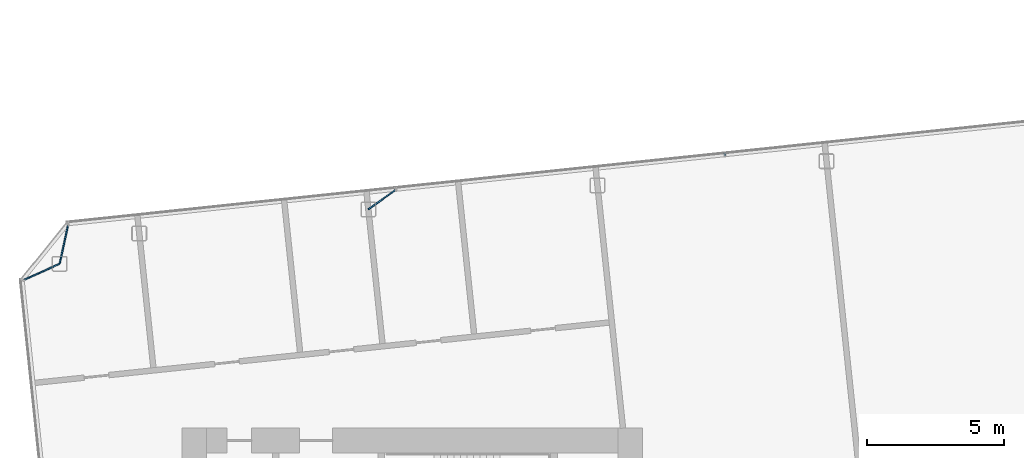
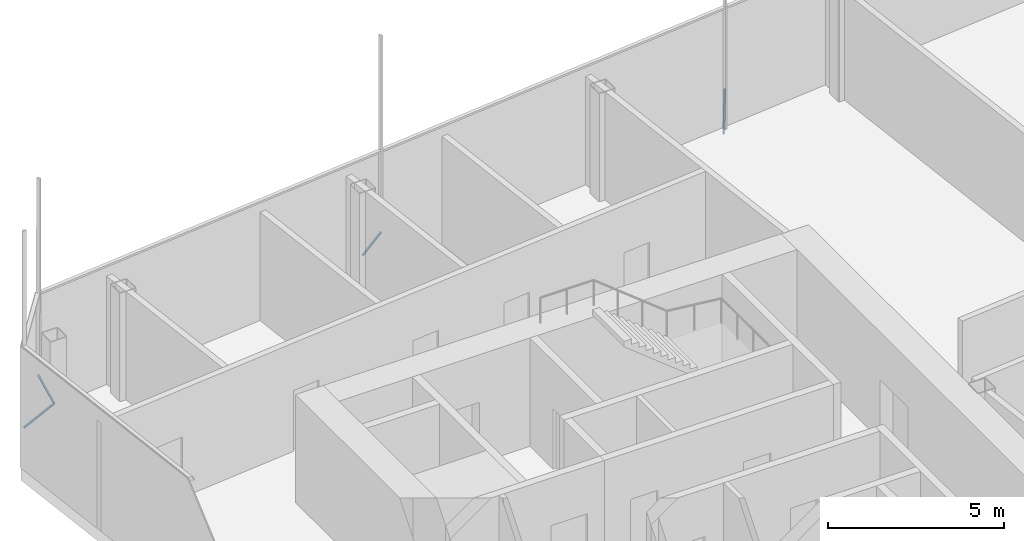
# One storey, part 24 of 41: 4 discrete accessories.
"""IFC4 building model written with IfcOpenShell, lengths in metres."""

from ifc_helpers import new_model, si_unit, direction, frame, origin, origin_2d, place, context, subcontext, project, spatial, rectangle, extrude, material, material_profile, profile_set, type_object, element, save


model = new_model("IFC4")

# Units and contexts
model_context = context("Model", 3, precision=1e-05, world=origin(), true_north=direction((0.0, 1.0)))
body_context = subcontext(model_context, "Body", "Model", "MODEL_VIEW")
ifc_project = project(units=[si_unit("LENGTHUNIT", "METRE"), si_unit("AREAUNIT", "SQUARE_METRE"), si_unit("VOLUMEUNIT", "CUBIC_METRE"), si_unit("PLANEANGLEUNIT", "RADIAN"), si_unit("MASSUNIT", "GRAM", prefix="KILO")], contexts=[model_context])

# Site, building, storey
site_placement = place(None, origin())
site = spatial("IfcSite", under=ifc_project, at=site_placement, CompositionType="ELEMENT")
building_placement = place(site_placement, origin())
building = spatial("IfcBuilding", under=site, at=building_placement, Name="Hakoniwa Tower and Hamabe Station Hall", CompositionType="ELEMENT")
storey_placement = place(building_placement, frame((0.0, 0.0, 276.60009765625)))
storey = spatial("IfcBuildingStorey", under=building, at=storey_placement, Name="L77", CompositionType="ELEMENT", Elevation=276.60009765625)

# Discrete accessories
ifc_material = material(Name="Stainless steel SUS304", Category="steel")
ifc_material_profile = material_profile(ifc_material, rectangle(XDim=0.050048828125, YDim=0.050048828125, at=origin_2d()), Name="CW-4 GLAZING BRACKET 50X50")
ifc_profile_set = profile_set([ifc_material_profile], Name="Stainless steel SUS304")
discrete_accessory_type = type_object("IfcDiscreteAccessoryType", Name="CW-4 GLAZING BRACKET 50X50", PredefinedType="BRACKET", material=ifc_profile_set)
discrete_accessory_1_placement = place(storey_placement, frame((-39.388427734375, 13.790283203125, 1.366455078125), z_axis=(0.911971465956, 0.410253635307, 0.0), x_axis=(-0.410253635307, 0.911971465956, 0.0)))
element("IfcDiscreteAccessory", 1, at=discrete_accessory_1_placement, inside=storey, type_object=discrete_accessory_type, Name="Glazing bracket", PredefinedType="BRACKET", context=body_context, shape_type="SweptSolid", body=[
    extrude(rectangle(XDim=0.050048828125, YDim=0.050048828125, at=origin_2d()), origin(), (0.0, 0.0, 1.0), 1.462646484375),
])
discrete_accessory_2_placement = place(storey_placement, frame((-37.74365234375, 15.82080078125, 1.366455078125), z_axis=(-0.212318853566, -0.977200442295, 0.0), x_axis=(0.977200442295, -0.212318853566, 0.0)))
element("IfcDiscreteAccessory", 2, at=discrete_accessory_2_placement, inside=storey, type_object=discrete_accessory_type, Name="Glazing bracket", PredefinedType="BRACKET", context=body_context, shape_type="SweptSolid", body=[
    extrude(rectangle(XDim=0.050048828125, YDim=0.050048828125, at=origin_2d()), origin(), (0.0, 0.0, 1.0), 1.4638671875),
])
discrete_accessory_3_placement = place(storey_placement, frame((-25.79345703125, 17.09375, 1.366455078125), z_axis=(-0.813024643552, -0.582229275266, 0.0), x_axis=(0.582229275266, -0.813024643552, 0.0)))
element("IfcDiscreteAccessory", 3, at=discrete_accessory_3_placement, inside=storey, type_object=discrete_accessory_type, Name="Glazing bracket", PredefinedType="BRACKET", context=body_context, shape_type="SweptSolid", body=[
    extrude(rectangle(XDim=0.050048828125, YDim=0.050048828125, at=origin_2d()), origin(), (0.0, 0.0, 1.0), 1.234375),
])
discrete_accessory_4_placement = place(storey_placement, frame((-13.796142578125, 18.354736328125, 1.366455078125), z_axis=(-0.003985496449, 0.037555639615, -0.999286590399), x_axis=(-0.994416132921, -0.10552987533, 0.0)))
element("IfcDiscreteAccessory", 4, at=discrete_accessory_4_placement, inside=storey, type_object=discrete_accessory_type, Name="Glazing bracket", PredefinedType="BRACKET", context=body_context, shape_type="SweptSolid", body=[
    extrude(rectangle(XDim=0.050048828125, YDim=0.050048828125, at=origin_2d()), origin(), (0.0, 0.0, 1.0), 1.5927734375),
])

save(model, "model.ifc")
